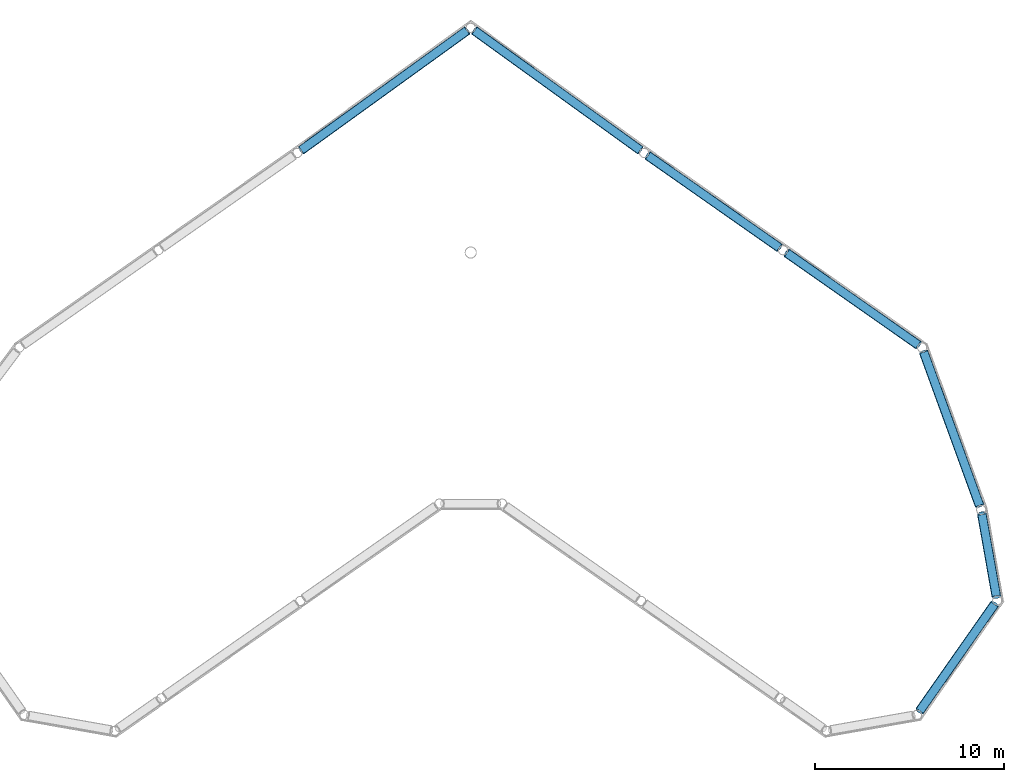
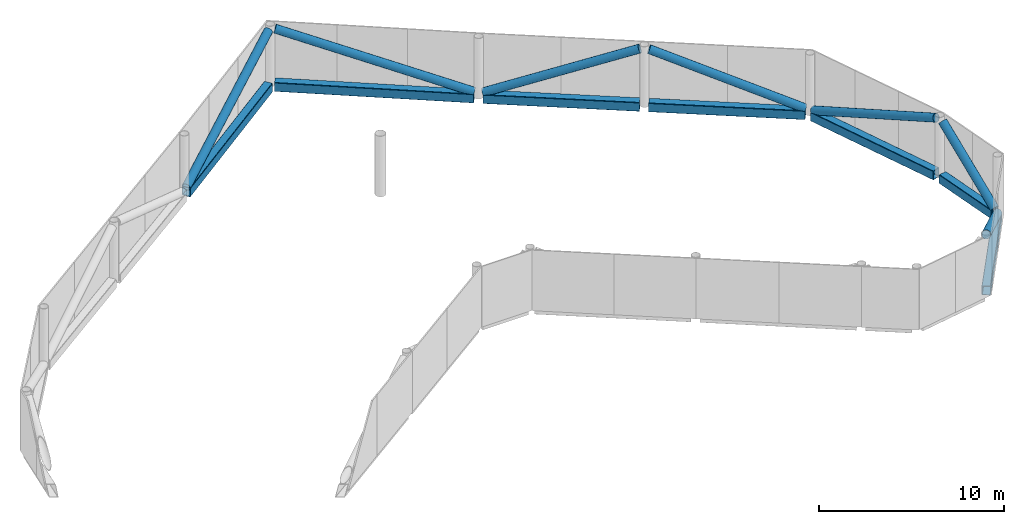
# One storey, part 3 of 4: 7 beams, 7 members.
"""IFC4 building model written with IfcOpenShell, lengths in metres."""

from ifc_helpers import new_model, si_unit, direction, frame, origin, origin_2d, place, context, subcontext, project, spatial, hollow_rectangle, hollow_circle, extrude, material, material_profile, profile_set, type_object, element, save


model = new_model("IFC4")

# Units and contexts
model_context = context("Model", 3, precision=1e-05, world=origin(), true_north=direction((0.0, 1.0)))
body_context = subcontext(model_context, "Body", "Model", "MODEL_VIEW")
ifc_project = project(units=[si_unit("LENGTHUNIT", "METRE"), si_unit("AREAUNIT", "SQUARE_METRE"), si_unit("VOLUMEUNIT", "CUBIC_METRE"), si_unit("PLANEANGLEUNIT", "RADIAN"), si_unit("MASSUNIT", "GRAM", prefix="KILO")], contexts=[model_context])

# Site, building, storey
site_placement = place(None, origin())
site = spatial("IfcSite", under=ifc_project, at=site_placement, CompositionType="ELEMENT")
building_placement = place(site_placement, origin())
building = spatial("IfcBuilding", under=site, at=building_placement, Name="Tel Ilan Convention Tower", CompositionType="ELEMENT")
storey_placement = place(building_placement, frame((0.0, 0.0, 334.800048828125)))
storey = spatial("IfcBuildingStorey", under=building, at=storey_placement, Name="L79", CompositionType="ELEMENT", Elevation=334.800048828125)

# Members
ifc_material_1 = material(Name="Steel S355", Category="steel")
ifc_material_profile_1 = material_profile(ifc_material_1, hollow_circle(Radius=0.25390625, WallThickness=0.01611328125, at=origin_2d()), Name="CHS 508x16")
ifc_profile_set_1 = profile_set([ifc_material_profile_1], Name="Steel S355")
member_type = type_object("IfcMemberType", Name="CROWN FRAME BRACE CHS 508x16", PredefinedType="BRACE", material=ifc_profile_set_1)
member_1_placement = place(storey_placement, frame((23.817626953125, -24.302978515625, 3.699951171875), z_axis=(0.514421702531, 0.734624940888, -0.442375980576), x_axis=(-0.81913539389, 0.573600214851, 0.0)))
element("IfcMember", 1, at=member_1_placement, inside=storey, type_object=member_type, Name="CROWN FRAME brace", PredefinedType="BRACE", context=body_context, shape_type="SweptSolid", body=[
    extrude(hollow_circle(Radius=0.25390625, WallThickness=0.01611328125, at=origin_2d()), origin(), (0.0, 0.0, 1.0), 7.685546875),
])
member_2_placement = place(storey_placement, frame((27.872802734375, -18.198974609375, 0.300048828125), z_axis=(-0.137019267029, 0.777368319025, 0.613941542037), x_axis=(-0.984818960578, -0.173584604405, 0.0)))
element("IfcMember", 2, at=member_2_placement, inside=storey, type_object=member_type, Name="CROWN FRAME brace", PredefinedType="BRACE", context=body_context, shape_type="SweptSolid", body=[
    extrude(hollow_circle(Radius=0.25390625, WallThickness=0.01611328125, at=origin_2d()), origin(), (0.0, 0.0, 1.0), 5.537841796875),
])
member_3_placement = place(storey_placement, frame((26.983154296875, -13.4052734375, 3.699951171875), z_axis=(-0.318502301018, 0.874442667543, -0.36593210494), x_axis=(-0.939612751601, -0.342239502439, 0.0)))
element("IfcMember", 3, at=member_3_placement, inside=storey, type_object=member_type, Name="CROWN FRAME brace", PredefinedType="BRACE", context=body_context, shape_type="SweptSolid", body=[
    extrude(hollow_circle(Radius=0.25390625, WallThickness=0.01611328125, at=origin_2d()), origin(), (0.0, 0.0, 1.0), 9.291015625),
])
member_4_placement = place(storey_placement, frame((23.72900390625, -4.896240234375, 0.300048828125), z_axis=(-0.760425108847, 0.532553791307, 0.371672050604), x_axis=(-0.573647554936, -0.819102241918, 0.0)))
element("IfcMember", 4, at=member_4_placement, inside=storey, type_object=member_type, Name="CROWN FRAME brace", PredefinedType="BRACE", context=body_context, shape_type="SweptSolid", body=[
    extrude(hollow_circle(Radius=0.25390625, WallThickness=0.01611328125, at=origin_2d()), origin(), (0.0, 0.0, 1.0), 9.147705078125),
])
member_5_placement = place(storey_placement, frame((16.35693359375, 0.2666015625, 3.699951171875), z_axis=(-0.760457085565, 0.532488114036, -0.371700725618), x_axis=(-0.573583902989, -0.819146816042, 0.0)))
element("IfcMember", 5, at=member_5_placement, inside=storey, type_object=member_type, Name="CROWN FRAME brace", PredefinedType="BRACE", context=body_context, shape_type="SweptSolid", body=[
    extrude(hollow_circle(Radius=0.25390625, WallThickness=0.01611328125, at=origin_2d()), origin(), (0.0, 0.0, 1.0), 9.14697265625),
])
for number, where, z_axis, x_axis, name in (
    (6, (8.987060546875, 5.431640625, 0.300048828125), (-0.773630892518, 0.558364176575, 0.299540795985), (-0.585236177645, -0.810862883831, 0.0), "CROWN FRAME brace"),
    (7, (-0.2060546875, 11.769287109375, 3.699951171875), (-0.773630892518, -0.558364176575, -0.299540795985), (0.585236177645, -0.810862883831, 0.0), "CROWN FRAME brace"),
):
    element("IfcMember", number, at=place(storey_placement, frame(where, z_axis=z_axis, x_axis=x_axis)), inside=storey, type_object=member_type, Name=name, PredefinedType="BRACE", context=body_context, shape_type="SweptSolid", body=[
        extrude(hollow_circle(Radius=0.25390625, WallThickness=0.01611328125, at=origin_2d()), origin(), (0.0, 0.0, 1.0), 11.350341796875),
    ])

# Beams
ifc_material_2 = material(Name="Steel S355", Category="steel")
ifc_material_profile_2 = material_profile(ifc_material_2, hollow_rectangle(XDim=0.5, YDim=0.60009765625, WallThickness=0.02490234375, InnerFilletRadius=0.02490234375, OuterFilletRadius=0.050048828125, at=origin_2d()), Name="RHS 600x500x25")
ifc_profile_set_2 = profile_set([ifc_material_profile_2], Name="Steel S355")
beam_type = type_object("IfcBeamType", Name="CROWN FRAME RING BEAM RHS 600x500x25", PredefinedType="BEAM", material=ifc_profile_set_2)
beam_1_placement = place(storey_placement, frame((23.817626953125, -24.302978515625, 0.0), z_axis=(0.573600214851, 0.81913539389, 0.0), x_axis=(-0.81913539389, 0.573600214851, 0.0)))
element("IfcBeam", 8, at=beam_1_placement, inside=storey, type_object=beam_type, Name="CROWN FRAME ring beam", PredefinedType="BEAM", context=body_context, shape_type="SweptSolid", body=[
    extrude(hollow_rectangle(XDim=0.5, YDim=0.60009765625, WallThickness=0.02490234375, InnerFilletRadius=0.02490234375, OuterFilletRadius=0.050048828125, at=origin_2d()), origin(), (0.0, 0.0, 1.0), 6.892578125),
])
beam_2_placement = place(storey_placement, frame((27.872802734375, -18.198974609375, 0.0), z_axis=(-0.173584604405, 0.984818960578, 0.0), x_axis=(-0.984818960578, -0.173584604405, 0.0)))
element("IfcBeam", 9, at=beam_2_placement, inside=storey, type_object=beam_type, Name="CROWN FRAME ring beam", PredefinedType="BEAM", context=body_context, shape_type="SweptSolid", body=[
    extrude(hollow_rectangle(XDim=0.5, YDim=0.60009765625, WallThickness=0.02490234375, InnerFilletRadius=0.02490234375, OuterFilletRadius=0.050048828125, at=origin_2d()), origin(), (0.0, 0.0, 1.0), 4.371337890625),
])
beam_3_placement = place(storey_placement, frame((26.983154296875, -13.4052734375, 0.0), z_axis=(-0.342239502439, 0.939612751601, 0.0), x_axis=(-0.939612751601, -0.342239502439, 0.0)))
element("IfcBeam", 10, at=beam_3_placement, inside=storey, type_object=beam_type, Name="CROWN FRAME ring beam", PredefinedType="BEAM", context=body_context, shape_type="SweptSolid", body=[
    extrude(hollow_rectangle(XDim=0.5, YDim=0.60009765625, WallThickness=0.02490234375, InnerFilletRadius=0.02490234375, OuterFilletRadius=0.050048828125, at=origin_2d()), origin(), (0.0, 0.0, 1.0), 8.646728515625),
])
beam_4_placement = place(storey_placement, frame((23.72900390625, -4.896240234375, 0.0), z_axis=(-0.819102241918, 0.573647554936, 0.0), x_axis=(-0.573647554936, -0.819102241918, 0.0)))
element("IfcBeam", 11, at=beam_4_placement, inside=storey, type_object=beam_type, Name="CROWN FRAME ring beam", PredefinedType="BEAM", context=body_context, shape_type="SweptSolid", body=[
    extrude(hollow_rectangle(XDim=0.5, YDim=0.60009765625, WallThickness=0.02490234375, InnerFilletRadius=0.02490234375, OuterFilletRadius=0.050048828125, at=origin_2d()), origin(), (0.0, 0.0, 1.0), 8.4921875),
])
beam_5_placement = place(storey_placement, frame((16.35693359375, 0.2666015625, 0.0), z_axis=(-0.819146816042, 0.573583902989, 0.0), x_axis=(-0.573583902989, -0.819146816042, 0.0)))
element("IfcBeam", 12, at=beam_5_placement, inside=storey, type_object=beam_type, Name="CROWN FRAME ring beam", PredefinedType="BEAM", context=body_context, shape_type="SweptSolid", body=[
    extrude(hollow_rectangle(XDim=0.5, YDim=0.60009765625, WallThickness=0.02490234375, InnerFilletRadius=0.02490234375, OuterFilletRadius=0.050048828125, at=origin_2d()), origin(), (0.0, 0.0, 1.0), 8.491455078125),
])
for number, where, z_axis, x_axis, name in (
    (13, (8.987060546875, 5.431640625, 0.0), (-0.810862883831, 0.585236177645, 0.0), (-0.585236177645, -0.810862883831, 0.0), "CROWN FRAME ring beam"),
    (14, (-0.2060546875, 11.769287109375, 0.0), (-0.810862883831, -0.585236177645, 0.0), (0.585236177645, -0.810862883831, 0.0), "CROWN FRAME ring beam"),
):
    element("IfcBeam", number, at=place(storey_placement, frame(where, z_axis=z_axis, x_axis=x_axis)), inside=storey, type_object=beam_type, Name=name, PredefinedType="BEAM", context=body_context, shape_type="SweptSolid", body=[
        extrude(hollow_rectangle(XDim=0.5, YDim=0.60009765625, WallThickness=0.02490234375, InnerFilletRadius=0.02490234375, OuterFilletRadius=0.050048828125, at=origin_2d()), origin(), (0.0, 0.0, 1.0), 10.8291015625),
    ])

save(model, "model.ifc")
